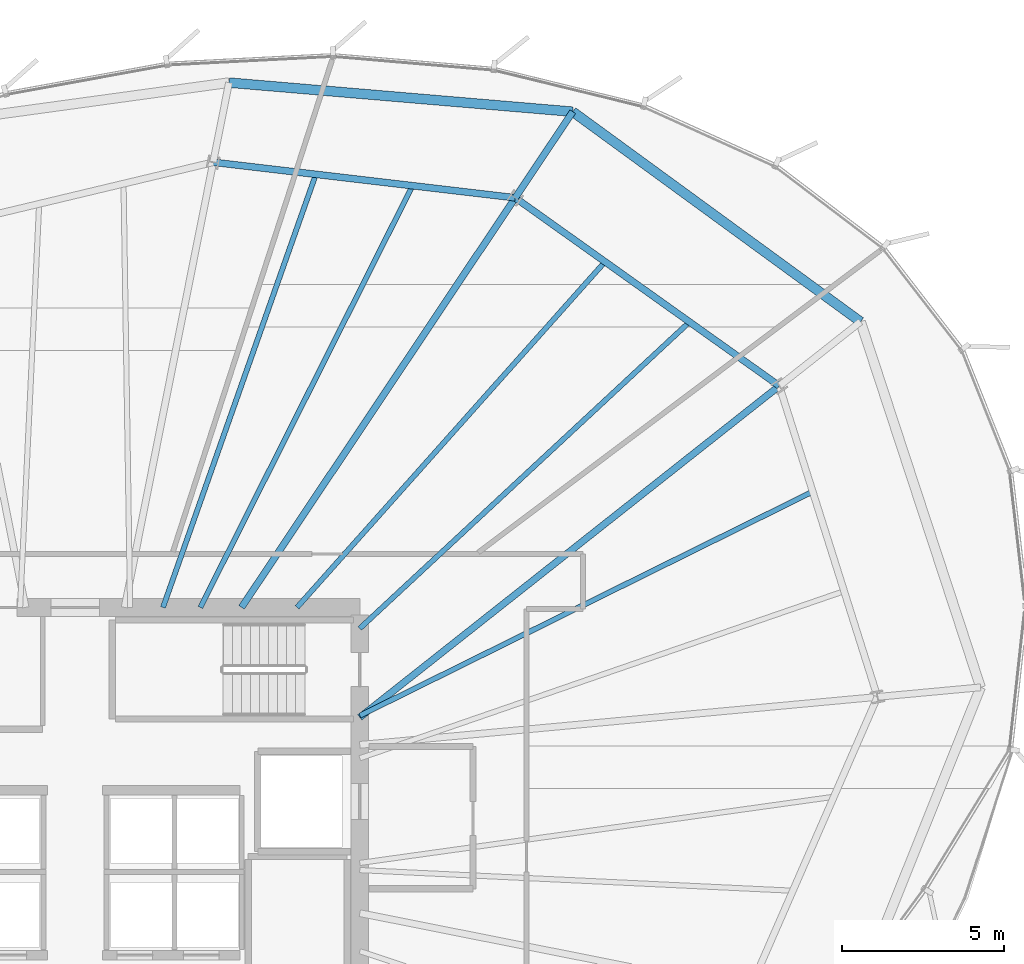
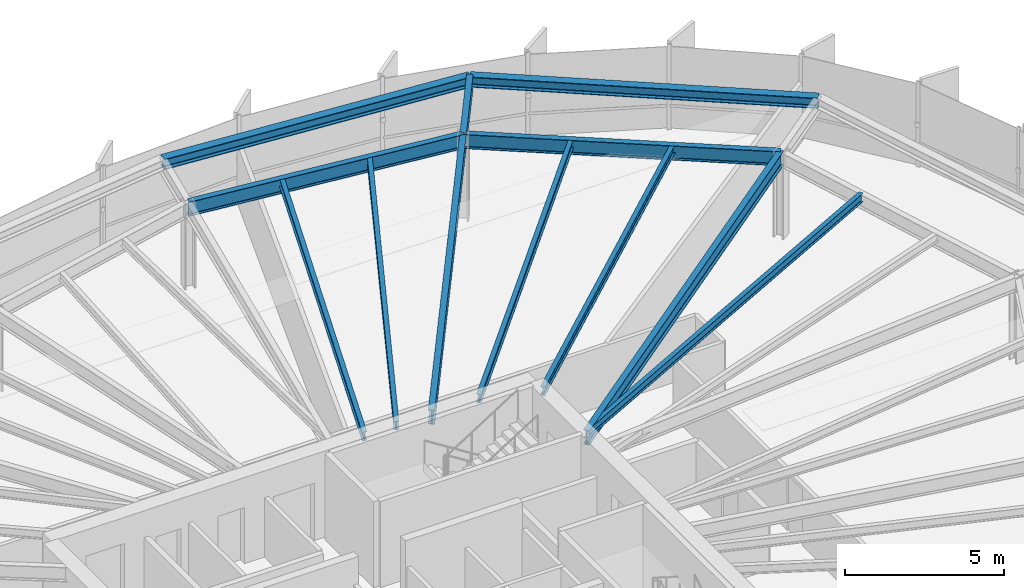
# One storey, part 22 of 34: 12 beams.
"""IFC4 building model written with IfcOpenShell, lengths in metres."""

import ifcopenshell
import ifcopenshell.guid

model = None  # the IFC model being written
_history = None  # IfcOwnerHistory: only IFC2X3 demands one
_inside = {}  # id of a spatial element -> (the spatial element, [elements in it])
_under = {}  # id of a project, library or spatial element -> (it, [spatial elements below it])
_declared = {}  # id of a project -> (the project, [libraries it declares])
_typed = {}  # id of a type object -> (the type object, [elements of that type])
_made_of = {}  # id of a material, layer set ... -> (it, [elements and type objects made of it])


def new_model(schema):
    """Start an empty IFC model of exactly this schema.

    Asked for "IFC4X3", IfcOpenShell would pick the latest addendum, in which some entities
    have other attributes; the version numbers below select the first issue.
    IFC2X3 requires an IfcOwnerHistory on every rooted entity: one is made here for all.
    """
    global model, _history
    if schema == "IFC4X3":
        model = ifcopenshell.file(schema_version=(4, 3, 0, 0))
    else:
        model = ifcopenshell.file(schema=schema)
    _inside.clear()
    _under.clear()
    _declared.clear()
    _typed.clear()
    _made_of.clear()
    _history = None
    if model.schema == "IFC2X3":
        org = make("IfcOrganization", Name="unknown")
        user = make(
            "IfcPersonAndOrganization",
            ThePerson=make("IfcPerson", FamilyName="unknown"),
            TheOrganization=org,
        )
        app = make(
            "IfcApplication",
            ApplicationDeveloper=org,
            Version="unknown",
            ApplicationFullName="unknown",
            ApplicationIdentifier="unknown",
        )
        _history = make(
            "IfcOwnerHistory",
            OwningUser=user,
            OwningApplication=app,
            ChangeAction="ADDED",
            CreationDate=0,
        )
    return model


def make(cls, **values):
    """One entity of the class cls with the attributes given. An attribute that is None is left unset."""
    return model.create_entity(
        cls, **{name: value for name, value in values.items() if value is not None}
    )


def rooted(cls, **values):
    """An entity with a GlobalId (a new one), such as an element, a storey or a relation."""
    return make(cls, GlobalId=ifcopenshell.guid.new(), OwnerHistory=_history, **values)


def si_unit(unit_type, name, prefix=None):
    """IfcSIUnit, for example si_unit("LENGTHUNIT", "METRE", prefix="MILLI")."""
    return make("IfcSIUnit", UnitType=unit_type, Prefix=prefix, Name=name)


def assignment(units):
    """IfcUnitAssignment: the units of a project."""
    return None if units is None else make("IfcUnitAssignment", Units=units)


def point(xyz):
    """IfcCartesianPoint."""
    return None if xyz is None else make("IfcCartesianPoint", Coordinates=xyz)


def direction(xyz):
    """IfcDirection."""
    return None if xyz is None else make("IfcDirection", DirectionRatios=xyz)


def frame(location, z_axis=None, x_axis=None):
    """IfcAxis2Placement3D, a coordinate frame: its origin and axes. An axis left out is left unset."""
    return make(
        "IfcAxis2Placement3D",
        Location=point(location),
        Axis=direction(z_axis),
        RefDirection=direction(x_axis),
    )


def frame_2d(location, x_axis=None):
    """IfcAxis2Placement2D, a coordinate frame in the plane: its origin and x axis."""
    return make(
        "IfcAxis2Placement2D", Location=point(location), RefDirection=direction(x_axis)
    )


def origin():
    """The frame at (0, 0, 0) with its axes left unset."""
    return frame((0.0, 0.0, 0.0))


def origin_2d():
    """The frame at (0, 0) in the plane with its x axis left unset."""
    return frame_2d((0.0, 0.0))


def place(relative_to, where):
    """IfcLocalPlacement: puts the frame where relative to a parent placement (None: the world)."""
    return make(
        "IfcLocalPlacement", PlacementRelTo=relative_to, RelativePlacement=where
    )


def context(
    kind, dimensions, precision=None, world=None, true_north=None, identifier=None
):
    """IfcGeometricRepresentationContext, for example the 3D "Model" context."""
    return make(
        "IfcGeometricRepresentationContext",
        ContextIdentifier=identifier,
        ContextType=kind,
        CoordinateSpaceDimension=dimensions,
        Precision=precision,
        WorldCoordinateSystem=world,
        TrueNorth=true_north,
    )


def subcontext(parent, identifier, kind, view, scale=None):
    """IfcGeometricRepresentationSubContext, for example "Body" below "Model"."""
    return make(
        "IfcGeometricRepresentationSubContext",
        ContextIdentifier=identifier,
        ContextType=kind,
        ParentContext=parent,
        TargetScale=scale,
        TargetView=view,
    )


def project(units=None, contexts=None):
    """IfcProject with its units and contexts."""
    return rooted(
        "IfcProject",
        Name="project",
        RepresentationContexts=contexts,
        UnitsInContext=assignment(units),
    )


def spatial(cls, under=None, at=None, **own):
    """A site, building, storey or space (cls), placed at a placement, below another one or the project."""
    s = rooted(cls, ObjectPlacement=at, **own)
    if under is not None:
        _under.setdefault(under.id(), (under, []))[1].append(s)
    return s


def profile(cls, at=None, kind="AREA", **sizes):
    """A parametric profile (cls). Its sizes go by their IFC names, for example OverallWidth=200.0."""
    return make(cls, ProfileType=kind, Position=at, **sizes)


def i_section(**sizes):
    """IfcIShapeProfileDef."""
    return profile("IfcIShapeProfileDef", **sizes)


def extrude(swept, where, along, depth):
    """IfcExtrudedAreaSolid: the profile swept, set in the frame where, extruded along a direction by depth."""
    return make(
        "IfcExtrudedAreaSolid",
        SweptArea=swept,
        Position=where,
        ExtrudedDirection=direction(along),
        Depth=depth,
    )


def shape(context_of_items, identifier, shape_type, items):
    """IfcShapeRepresentation: the items that make up one representation, for example the "Body"."""
    return make(
        "IfcShapeRepresentation",
        ContextOfItems=context_of_items,
        RepresentationIdentifier=identifier,
        RepresentationType=shape_type,
        Items=items,
    )


def source(mapping_origin, context_of_items, identifier, shape_type, items):
    """IfcRepresentationMap: a shape defined once, which mapped items show again and again."""
    return make(
        "IfcRepresentationMap",
        MappingOrigin=mapping_origin,
        MappedRepresentation=shape(context_of_items, identifier, shape_type, items),
    )


def transform(
    local_origin,
    x_axis=None,
    y_axis=None,
    z_axis=None,
    scale=None,
    scale2=None,
    scale3=None,
    uniform=True,
):
    """IfcCartesianTransformationOperator3D, or its non-uniform kind. x_axis, y_axis, z_axis: its Axis1, 2, 3."""
    if uniform:
        return make(
            "IfcCartesianTransformationOperator3D",
            Axis1=direction(x_axis),
            Axis2=direction(y_axis),
            LocalOrigin=point(local_origin),
            Scale=scale,
            Axis3=direction(z_axis),
        )
    return make(
        "IfcCartesianTransformationOperator3DnonUniform",
        Axis1=direction(x_axis),
        Axis2=direction(y_axis),
        LocalOrigin=point(local_origin),
        Scale=scale,
        Axis3=direction(z_axis),
        Scale2=scale2,
        Scale3=scale3,
    )


def mapped(mapping_source, mapping_target):
    """IfcMappedItem: shows the shape of a source again, moved by a transform."""
    return make(
        "IfcMappedItem", MappingSource=mapping_source, MappingTarget=mapping_target
    )


def material(Name=None, Category=None):
    """IfcMaterial."""
    return make("IfcMaterial", Name=Name, Category=Category)


def material_profile(
    of_material, cross_section, Name=None, Category=None, Priority=None
):
    """IfcMaterialProfile: a cross section and its material."""
    return make(
        "IfcMaterialProfile",
        Name=Name,
        Material=of_material,
        Profile=cross_section,
        Priority=Priority,
        Category=Category,
    )


def profile_set(profiles, Name=None, composite=None):
    """IfcMaterialProfileSet."""
    return make(
        "IfcMaterialProfileSet",
        Name=Name,
        MaterialProfiles=profiles,
        CompositeProfile=composite,
    )


def made_of(thing, what):
    """Note that an element or type object is made of a material, layer set ...; save() writes the relation."""
    if what is not None:
        _made_of.setdefault(what.id(), (what, []))[1].append(thing)
    return thing


def type_object(cls, material=None, **own):
    """A type object (cls), such as IfcWallType, which elements share."""
    return made_of(rooted(cls, **own), material)


def element(
    cls,
    number,
    at=None,
    inside=None,
    cuts=None,
    type_object=None,
    material=None,
    context=None,
    identifier="Body",
    shape_type=None,
    held_by="IfcProductDefinitionShape",
    body=None,
    shapes=None,
    **own,
):
    """One element of the class cls, such as IfcWall. Its Tag is "e" and its number.

    at: its placement. inside: the storey or other place that contains it. cuts: it is an
    opening in that element (IfcRelVoidsElement). A single representation is given by context,
    identifier, shape_type and body (its items); several are given by shapes. held_by: the class
    of the entity that holds the representations. save() writes the other relations.
    """
    e = rooted(cls, Tag="e%d" % number, ObjectPlacement=at, **own)
    if body is not None:
        shapes = [shape(context, identifier, shape_type, body)]
    if shapes is not None:
        e.Representation = make(held_by, Representations=shapes)
    if inside is not None:
        _inside.setdefault(inside.id(), (inside, []))[1].append(e)
    if cuts is not None:
        rooted(
            "IfcRelVoidsElement", RelatingBuildingElement=cuts, RelatedOpeningElement=e
        )
    if type_object is not None:
        _typed.setdefault(type_object.id(), (type_object, []))[1].append(e)
    return made_of(e, material)


def aggregate(whole, parts):
    """IfcRelAggregates: a whole, such as a stair, and the parts it consists of."""
    return rooted("IfcRelAggregates", RelatingObject=whole, RelatedObjects=parts)


def save(model, path):
    """Write the relations noted so far, then the file.

    IfcRelAggregates (storeys below a building ...), IfcRelContainedInSpatialStructure (elements
    in a storey), IfcRelDefinesByType, IfcRelAssociatesMaterial and IfcRelDeclares: one each for
    every whole, place, type object, material and project.
    """
    for whole, parts in _under.values():
        aggregate(whole, parts)
    for where, things in _inside.values():
        rooted(
            "IfcRelContainedInSpatialStructure",
            RelatedElements=things,
            RelatingStructure=where,
        )
    for kind, things in _typed.values():
        rooted("IfcRelDefinesByType", RelatedObjects=things, RelatingType=kind)
    for what, things in _made_of.values():
        rooted("IfcRelAssociatesMaterial", RelatedObjects=things, RelatingMaterial=what)
    for by, libraries in _declared.values():
        rooted("IfcRelDeclares", RelatingContext=by, RelatedDefinitions=libraries)
    model.write(path)


model = new_model("IFC4")

# Units and contexts
model_context = context("Model", 3, precision=1e-05, world=origin(), true_north=direction((0.0, 1.0)))
body_context = subcontext(model_context, "Body", "Model", "MODEL_VIEW")
ifc_project = project(units=[si_unit("LENGTHUNIT", "METRE"), si_unit("AREAUNIT", "SQUARE_METRE"), si_unit("VOLUMEUNIT", "CUBIC_METRE"), si_unit("PLANEANGLEUNIT", "RADIAN"), si_unit("MASSUNIT", "GRAM", prefix="KILO"), si_unit("THERMODYNAMICTEMPERATUREUNIT", "KELVIN")], contexts=[model_context])

# Site, building, storey
site_placement = place(None, origin())
site = spatial("IfcSite", under=ifc_project, at=site_placement, CompositionType="ELEMENT")
building_placement = place(site_placement, origin())
building = spatial("IfcBuilding", under=site, at=building_placement, Name="Kethvar Cultural Tower", CompositionType="ELEMENT")
storey_placement = place(building_placement, frame((0.0, 0.0, 153.64990234375)))
storey = spatial("IfcBuildingStorey", under=building, at=storey_placement, Name="L39", CompositionType="ELEMENT", Elevation=153.64990234375)

# Beams
ifc_material = material(Name="Steel S355J2", Category="steel")
ifc_material_profile_1 = material_profile(ifc_material, i_section(OverallWidth=0.2099609375, OverallDepth=0.550048828125, WebThickness=0.010986328125, FlangeThickness=0.01708984375, FilletRadius=0.02392578125, at=origin_2d()), Name="Steel S355J2 — IPE550")
ifc_profile_set_1 = profile_set([ifc_material_profile_1], Name="Steel S355J2 — IPE550")
beam_type_1 = type_object("IfcBeamType", Name="BM-IPE550", PredefinedType="BEAM", material=ifc_profile_set_1)
shared_shape_1 = source(origin(), body_context, "Body", "SweptSolid", [
    extrude(i_section(OverallWidth=0.2099609375, OverallDepth=0.550048828125, WebThickness=0.010986328125, FlangeThickness=0.01708984375, FilletRadius=0.02392578125, at=origin_2d()), origin(), (0.0, 0.0, 1.0), 3.199951171875),
])
beam_1_placement = place(storey_placement, frame((60.40478515625, 48.160888671875, 3.023193359375), z_axis=(0.555580212716, 0.831462943996, 0.0), x_axis=(-0.831462943996, 0.555580212716, 0.0)))
element("IfcBeam", 1, at=beam_1_placement, inside=storey, type_object=beam_type_1, Name="L39 Perimeter Cantilever Beam RC-03", PredefinedType="BEAM", context=body_context, shape_type="MappedRepresentation", body=[
    mapped(shared_shape_1, transform((0.0, 0.0, 0.0), scale=1.0)),
])
shared_shape_2 = source(origin(), body_context, "Body", "SweptSolid", [
    extrude(i_section(OverallWidth=0.2099609375, OverallDepth=0.550048828125, WebThickness=0.010986328125, FlangeThickness=0.01708984375, FilletRadius=0.02392578125, at=origin_2d()), origin(), (0.0, 0.0, 1.0), 16.527099609375),
])
beam_2_placement = place(storey_placement, frame((55.60009765625, 32.10009765625, 3.023193359375), z_axis=(0.784681939021, 0.619898584105, 0.0), x_axis=(-0.619898584105, 0.784681939021, 0.0)))
element("IfcBeam", 2, at=beam_2_placement, inside=storey, type_object=beam_type_1, Name="L39 Primary Radial Beam RB-02", PredefinedType="BEAM", context=body_context, shape_type="MappedRepresentation", body=[
    mapped(shared_shape_2, transform((0.0, 0.0, 0.0), scale=1.0)),
])
shared_shape_3 = source(origin(), body_context, "Body", "SweptSolid", [
    extrude(i_section(OverallWidth=0.2099609375, OverallDepth=0.550048828125, WebThickness=0.010986328125, FlangeThickness=0.01708984375, FilletRadius=0.02392578125, at=origin_2d()), origin(), (0.0, 0.0, 1.0), 15.22705078125),
])
beam_3_placement = place(storey_placement, frame((51.945068359375, 35.5, 3.023193359375), z_axis=(0.555569390778, 0.83147017507, 0.0), x_axis=(-0.83147017507, 0.555569390778, 0.0)))
element("IfcBeam", 3, at=beam_3_placement, inside=storey, type_object=beam_type_1, Name="L39 Primary Radial Beam RB-03", PredefinedType="BEAM", context=body_context, shape_type="MappedRepresentation", body=[
    mapped(shared_shape_3, transform((0.0, 0.0, 0.0), scale=1.0)),
])
ifc_material_profile_2 = material_profile(ifc_material, i_section(OverallWidth=0.159912109375, OverallDepth=0.330078125, WebThickness=0.007568359375, FlangeThickness=0.011474609375, FilletRadius=0.01806640625, at=origin_2d()), Name="Steel S355J2 — IPE330")
ifc_profile_set_2 = profile_set([ifc_material_profile_2], Name="Steel S355J2 — IPE330")
beam_type_2 = type_object("IfcBeamType", Name="BM-J330", PredefinedType="JOIST", material=ifc_profile_set_2)
shared_shape_4 = source(origin(), body_context, "Body", "SweptSolid", [
    extrude(i_section(OverallWidth=0.159912109375, OverallDepth=0.330078125, WebThickness=0.007568359375, FlangeThickness=0.011474609375, FilletRadius=0.01806640625, at=origin_2d()), origin(), (0.0, 0.0, 1.0), 15.618896484375),
])
beam_4_placement = place(storey_placement, frame((55.60009765625, 32.152587890625, 3.133056640625), z_axis=(0.896344638992, 0.443357968408, 0.0), x_axis=(-0.443357968408, 0.896344638992, 0.0)))
element("IfcBeam", 4, at=beam_4_placement, inside=storey, type_object=beam_type_2, Name="L39 Composite Floor Joist J-01B", PredefinedType="JOIST", context=body_context, shape_type="MappedRepresentation", body=[
    mapped(shared_shape_4, transform((0.0, 0.0, 0.0), scale=1.0)),
])
shared_shape_5 = source(origin(), body_context, "Body", "SweptSolid", [
    extrude(i_section(OverallWidth=0.2099609375, OverallDepth=0.550048828125, WebThickness=0.010986328125, FlangeThickness=0.01708984375, FilletRadius=0.02392578125, at=origin_2d()), origin(), (0.0, 0.0, 1.0), 10.0234375),
])
beam_5_placement = place(storey_placement, frame((68.568603515625, 42.34521484375, 3.023193359375), z_axis=(-0.814470106239, 0.580205520521, 0.0), x_axis=(-0.580205520521, -0.814470106239, 0.0)))
element("IfcBeam", 5, at=beam_5_placement, inside=storey, type_object=beam_type_1, Name="L39 Column Ring Tie Beam CR-02", PredefinedType="BEAM", context=body_context, shape_type="MappedRepresentation", body=[
    mapped(shared_shape_5, transform((0.0, 0.0, 0.0), scale=1.0)),
])
shared_shape_6 = source(origin(), body_context, "Body", "SweptSolid", [
    extrude(i_section(OverallWidth=0.159912109375, OverallDepth=0.330078125, WebThickness=0.007568359375, FlangeThickness=0.011474609375, FilletRadius=0.01806640625, at=origin_2d()), origin(), (0.0, 0.0, 1.0), 13.91455078125),
])
beam_6_placement = place(storey_placement, frame((55.60009765625, 34.85009765625, 3.133056640625), z_axis=(0.732512843328, 0.680753211054, 0.0), x_axis=(-0.680753211054, 0.732512843328, 0.0)))
element("IfcBeam", 6, at=beam_6_placement, inside=storey, type_object=beam_type_2, Name="L39 Composite Floor Joist J-02A", PredefinedType="JOIST", context=body_context, shape_type="MappedRepresentation", body=[
    mapped(shared_shape_6, transform((0.0, 0.0, 0.0), scale=1.0)),
])
shared_shape_7 = source(origin(), body_context, "Body", "SweptSolid", [
    extrude(i_section(OverallWidth=0.159912109375, OverallDepth=0.330078125, WebThickness=0.007568359375, FlangeThickness=0.011474609375, FilletRadius=0.01806640625, at=origin_2d()), origin(), (0.0, 0.0, 1.0), 14.3095703125),
])
beam_7_placement = place(storey_placement, frame((53.660888671875, 35.5, 3.133056640625), z_axis=(0.665261381663, 0.746610537073, 0.0), x_axis=(-0.746610537073, 0.665261381663, 0.0)))
element("IfcBeam", 7, at=beam_7_placement, inside=storey, type_object=beam_type_2, Name="L39 Composite Floor Joist J-02B", PredefinedType="JOIST", context=body_context, shape_type="MappedRepresentation", body=[
    mapped(shared_shape_7, transform((0.0, 0.0, 0.0), scale=1.0)),
])
shared_shape_8 = source(origin(), body_context, "Body", "SweptSolid", [
    extrude(i_section(OverallWidth=0.2099609375, OverallDepth=0.550048828125, WebThickness=0.010986328125, FlangeThickness=0.01708984375, FilletRadius=0.02392578125, at=origin_2d()), origin(), (0.0, 0.0, 1.0), 9.400634765625),
])
beam_8_placement = place(storey_placement, frame((60.40478515625, 48.160888671875, 3.023193359375), z_axis=(-0.993150427046, 0.116842754407, 0.0), x_axis=(-0.116842754407, -0.993150427046, 0.0)))
element("IfcBeam", 8, at=beam_8_placement, inside=storey, type_object=beam_type_1, Name="L39 Column Ring Tie Beam CR-03", PredefinedType="BEAM", context=body_context, shape_type="MappedRepresentation", body=[
    mapped(shared_shape_8, transform((0.0, 0.0, 0.0), scale=1.0)),
])
shared_shape_9 = source(origin(), body_context, "Body", "SweptSolid", [
    extrude(i_section(OverallWidth=0.159912109375, OverallDepth=0.330078125, WebThickness=0.007568359375, FlangeThickness=0.011474609375, FilletRadius=0.01806640625, at=origin_2d()), origin(), (0.0, 0.0, 1.0), 14.590576171875),
])
beam_9_placement = place(storey_placement, frame((50.673583984375, 35.5, 3.133056640625), z_axis=(0.449394228778, 0.893333547529, 0.0), x_axis=(-0.893333547529, 0.449394228778, 0.0)))
element("IfcBeam", 9, at=beam_9_placement, inside=storey, type_object=beam_type_2, Name="L39 Composite Floor Joist J-03A", PredefinedType="JOIST", context=body_context, shape_type="MappedRepresentation", body=[
    mapped(shared_shape_9, transform((0.0, 0.0, 0.0), scale=1.0)),
])
shared_shape_10 = source(origin(), body_context, "Body", "SweptSolid", [
    extrude(i_section(OverallWidth=0.159912109375, OverallDepth=0.330078125, WebThickness=0.007568359375, FlangeThickness=0.011474609375, FilletRadius=0.01806640625, at=origin_2d()), origin(), (0.0, 0.0, 1.0), 14.1953125),
])
beam_10_placement = place(storey_placement, frame((49.517822265625, 35.5, 3.133056640625), z_axis=(0.332865098769, 0.942974456717, 0.0), x_axis=(-0.942974456717, 0.332865098769, 0.0)))
element("IfcBeam", 10, at=beam_10_placement, inside=storey, type_object=beam_type_2, Name="L39 Composite Floor Joist J-03B", PredefinedType="JOIST", context=body_context, shape_type="MappedRepresentation", body=[
    mapped(shared_shape_10, transform((0.0, 0.0, 0.0), scale=1.0)),
])
ifc_material_profile_3 = material_profile(ifc_material, i_section(OverallWidth=0.300048828125, OverallDepth=0.39990234375, WebThickness=0.013427734375, FlangeThickness=0.02392578125, FilletRadius=0.027099609375, at=origin_2d()), Name="Steel S355J2 — HEB400")
ifc_profile_set_3 = profile_set([ifc_material_profile_3], Name="Steel S355J2 — HEB400")
beam_type_3 = type_object("IfcBeamType", Name="BM-SP400", PredefinedType="SPANDREL", material=ifc_profile_set_3)
shared_shape_11 = source(origin(), body_context, "Body", "SweptSolid", [
    extrude(i_section(OverallWidth=0.300048828125, OverallDepth=0.39990234375, WebThickness=0.013427734375, FlangeThickness=0.02392578125, FilletRadius=0.027099609375, at=origin_2d()), origin(), (0.0, 0.0, 1.0), 11.013916015625),
])
beam_11_placement = place(storey_placement, frame((71.07958984375, 44.3291015625, 3.09814453125), z_axis=(-0.807788950974, 0.589471806522, 0.0), x_axis=(-0.589471806522, -0.807788950974, 0.0)))
element("IfcBeam", 11, at=beam_11_placement, inside=storey, type_object=beam_type_3, Name="L39 Perimeter Spandrel Beam SP-02", PredefinedType="SPANDREL", context=body_context, shape_type="MappedRepresentation", body=[
    mapped(shared_shape_11, transform((0.0, 0.0, 0.0), scale=1.0)),
])
shared_shape_12 = source(origin(), body_context, "Body", "SweptSolid", [
    extrude(i_section(OverallWidth=0.300048828125, OverallDepth=0.39990234375, WebThickness=0.013427734375, FlangeThickness=0.02392578125, FilletRadius=0.027099609375, at=origin_2d()), origin(), (0.0, 0.0, 1.0), 10.66259765625),
])
beam_12_placement = place(storey_placement, frame((62.1826171875, 50.821533203125, 3.09814453125), z_axis=(-0.996435941892, 0.084352911667, 0.0), x_axis=(-0.084352911667, -0.996435941892, 0.0)))
element("IfcBeam", 12, at=beam_12_placement, inside=storey, type_object=beam_type_3, Name="L39 Perimeter Spandrel Beam SP-03", PredefinedType="SPANDREL", context=body_context, shape_type="MappedRepresentation", body=[
    mapped(shared_shape_12, transform((0.0, 0.0, 0.0), scale=1.0)),
])

save(model, "model.ifc")
